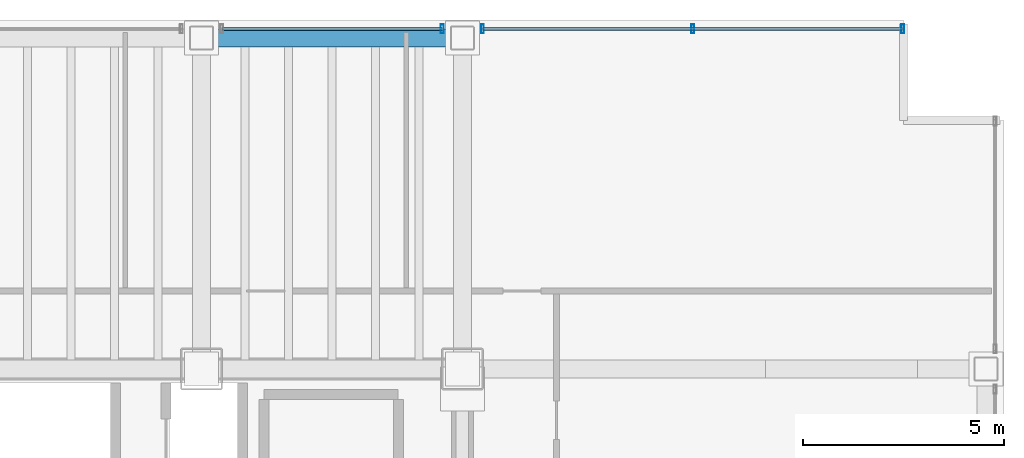
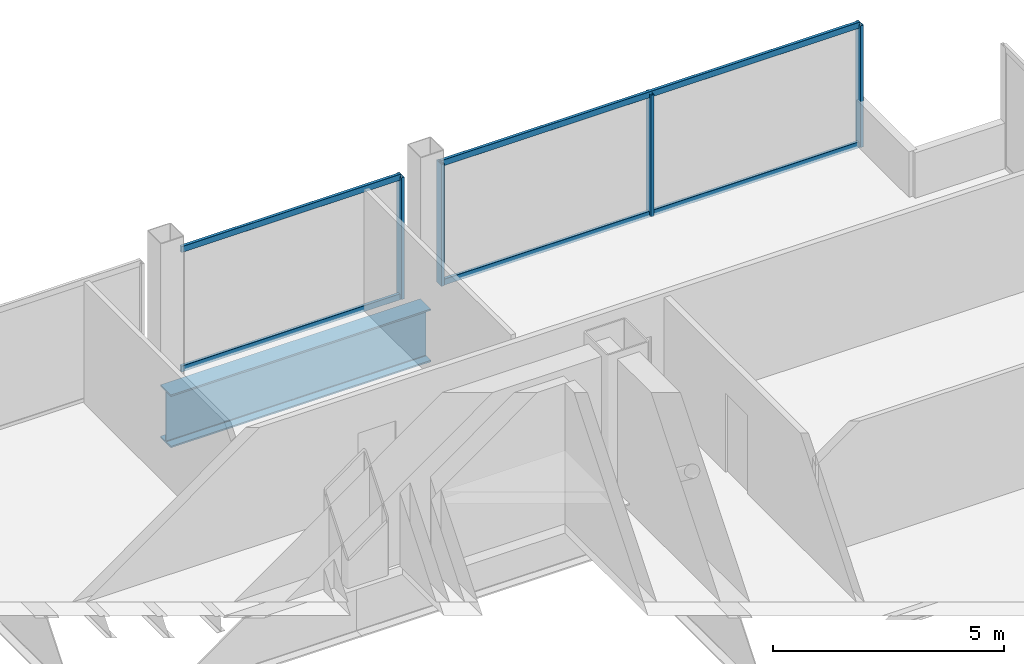
# One storey, part 18 of 23: 8 members, 1 beam, 2 elements without a shape of their own.
"""IFC4 building model written with IfcOpenShell, lengths in metres."""

from ifc_helpers import new_model, si_unit, direction, frame, origin, origin_2d, place, context, subcontext, project, spatial, hollow_rectangle, i_section, extrude, material, material_profile, profile_set, type_object, element, aggregate, save


model = new_model("IFC4")

# Units and contexts
model_context = context("Model", 3, precision=1e-05, world=origin(), true_north=direction((0.0, 1.0)))
body_context = subcontext(model_context, "Body", "Model", "MODEL_VIEW")
ifc_project = project(units=[si_unit("LENGTHUNIT", "METRE"), si_unit("AREAUNIT", "SQUARE_METRE"), si_unit("VOLUMEUNIT", "CUBIC_METRE"), si_unit("PLANEANGLEUNIT", "RADIAN"), si_unit("MASSUNIT", "GRAM", prefix="KILO")], contexts=[model_context])

# Site, building, storey
site_placement = place(None, origin())
site = spatial("IfcSite", under=ifc_project, at=site_placement, CompositionType="ELEMENT")
building_placement = place(site_placement, origin())
building = spatial("IfcBuilding", under=site, at=building_placement, Name="Noeulbin Bourse Tower", CompositionType="ELEMENT")
storey_placement = place(building_placement, frame((0.0, 0.0, 53.800048828125)))
storey = spatial("IfcBuildingStorey", under=building, at=storey_placement, Name="L13", CompositionType="ELEMENT", Elevation=53.800048828125)

# Beam
ifc_material_1 = material(Name="Steel S460", Category="steel")
ifc_material_profile_1 = material_profile(ifc_material_1, i_section(OverallWidth=0.449951171875, OverallDepth=1.39990234375, WebThickness=0.02392578125, FlangeThickness=0.0400390625, FilletRadius=0.02392578125, at=origin_2d()), Name="PG-1400x450x24x40", Category="LoadBearing")
ifc_profile_set_1 = profile_set([ifc_material_profile_1], Name="Steel S460")
beam_type = type_object("IfcBeamType", Name="BM-TRF-1400", PredefinedType="USERDEFINED", material=ifc_profile_set_1)
beam_placement = place(storey_placement, frame((37.5, 46.550048828125, -0.93994140625), z_axis=(1.0, 0.0, 0.0), x_axis=(0.0, 1.0, 0.0)))
element("IfcBeam", 1, at=beam_placement, inside=storey, type_object=beam_type, Name="North Spandrel L13-4", ObjectType="GIRDER", PredefinedType="USERDEFINED", context=body_context, shape_type="SweptSolid", body=[
    extrude(i_section(OverallWidth=0.449951171875, OverallDepth=1.39990234375, WebThickness=0.02392578125, FlangeThickness=0.0400390625, FilletRadius=0.02392578125, at=origin_2d()), origin(), (0.0, 0.0, 1.0), 6.5),
])

# Curtain wall, member
ifc_material_2 = material(Name="Dark Solar-Control Double Glazing", Category="glass")
curtain_wall_type = type_object("IfcCurtainWallType", Name="CW-SYS-2", PredefinedType="NOTDEFINED", material=ifc_material_2)
curtain_wall_1_placement = place(storey_placement, origin())
curtain_wall_1 = element("IfcCurtainWall", 2, at=curtain_wall_1_placement, inside=storey, type_object=curtain_wall_type, Name="Unitised Curtain Wall CW-L13-N-S5", PredefinedType="NOTDEFINED")
ifc_material_3 = material(Name="Anodised Aluminium 6063-T6", Category="aluminium")
ifc_material_profile_2 = material_profile(ifc_material_3, hollow_rectangle(XDim=0.074951171875, YDim=0.219970703125, WallThickness=0.0048828125, InnerFilletRadius=0.00244140625, OuterFilletRadius=0.0048828125, at=origin_2d()), Name="ALU-MULL-75x220x5", Category="LoadBearing")
ifc_profile_set_2 = profile_set([ifc_material_profile_2], Name="Anodised Aluminium 6063-T6")
member_type_1 = type_object("IfcMemberType", Name="CW-SYS-2-MUL", PredefinedType="MULLION", material=ifc_profile_set_2)
member_1_placement = place(storey_placement, frame((43.5, 46.780029296875, -0.02001953125), z_axis=(0.0, 0.0, 1.0), x_axis=(1.0, 0.0, 0.0)))
member_1 = element("IfcMember", 3, at=member_1_placement, type_object=member_type_1, Name="Curtain Wall Mullion CW-L13-N-S5-M01", PredefinedType="MULLION", context=body_context, shape_type="SweptSolid", body=[
    extrude(hollow_rectangle(XDim=0.074951171875, YDim=0.219970703125, WallThickness=0.0048828125, InnerFilletRadius=0.00244140625, OuterFilletRadius=0.0048828125, at=origin_2d()), origin(), (0.0, 0.0, 1.0), 3.219970703125),
])

# Curtain wall, members
curtain_wall_2_placement = place(storey_placement, origin())
curtain_wall_2 = element("IfcCurtainWall", 4, at=curtain_wall_2_placement, inside=storey, type_object=curtain_wall_type, Name="Unitised Curtain Wall CW-L13-N-S6", PredefinedType="NOTDEFINED")
member_2_placement = place(storey_placement, frame((44.5, 46.780029296875, -0.02001953125), z_axis=(0.0, 0.0, 1.0), x_axis=(1.0, 0.0, 0.0)))
member_2 = element("IfcMember", 5, at=member_2_placement, type_object=member_type_1, Name="Curtain Wall Mullion CW-L13-N-S6-M00", PredefinedType="MULLION", context=body_context, shape_type="SweptSolid", body=[
    extrude(hollow_rectangle(XDim=0.074951171875, YDim=0.219970703125, WallThickness=0.0048828125, InnerFilletRadius=0.00244140625, OuterFilletRadius=0.0048828125, at=origin_2d()), origin(), (0.0, 0.0, 1.0), 3.219970703125),
])
member_3_placement = place(storey_placement, frame((49.739990234375, 46.780029296875, -0.02001953125), z_axis=(0.0, 0.0, 1.0), x_axis=(1.0, 0.0, 0.0)))
member_3 = element("IfcMember", 6, at=member_3_placement, type_object=member_type_1, Name="Curtain Wall Mullion CW-L13-N-S6-M01", PredefinedType="MULLION", context=body_context, shape_type="SweptSolid", body=[
    extrude(hollow_rectangle(XDim=0.074951171875, YDim=0.219970703125, WallThickness=0.0048828125, InnerFilletRadius=0.00244140625, OuterFilletRadius=0.0048828125, at=origin_2d()), origin(), (0.0, 0.0, 1.0), 3.219970703125),
])
member_4_placement = place(storey_placement, frame((54.97998046875, 46.780029296875, -0.02001953125), z_axis=(0.0, 0.0, 1.0), x_axis=(1.0, 0.0, 0.0)))
member_4 = element("IfcMember", 7, at=member_4_placement, type_object=member_type_1, Name="Curtain Wall Mullion CW-L13-N-S6-M02", PredefinedType="MULLION", context=body_context, shape_type="SweptSolid", body=[
    extrude(hollow_rectangle(XDim=0.074951171875, YDim=0.219970703125, WallThickness=0.0048828125, InnerFilletRadius=0.00244140625, OuterFilletRadius=0.0048828125, at=origin_2d()), origin(), (0.0, 0.0, 1.0), 3.219970703125),
])

# Member
ifc_material_profile_3 = material_profile(ifc_material_3, hollow_rectangle(XDim=0.074951171875, YDim=0.159912109375, WallThickness=0.0048828125, InnerFilletRadius=0.00244140625, OuterFilletRadius=0.0048828125, at=origin_2d()), Name="ALU-TRAN-75x160x5", Category="LoadBearing")
ifc_profile_set_3 = profile_set([ifc_material_profile_3], Name="Anodised Aluminium 6063-T6")
member_type_2 = type_object("IfcMemberType", Name="CW-SYS-2-TRN", PredefinedType="USERDEFINED", material=ifc_profile_set_3)
member_5_placement = place(storey_placement, frame((38.010009765625, 46.780029296875, 0.010009765625), z_axis=(1.0, 0.0, 0.0), x_axis=(0.0, 1.0, 0.0)))
member_5 = element("IfcMember", 8, at=member_5_placement, type_object=member_type_2, Name="Curtain Wall Transom CW-L13-N-S5-T00", ObjectType="TRANSOM", PredefinedType="USERDEFINED", context=body_context, shape_type="SweptSolid", body=[
    extrude(hollow_rectangle(XDim=0.074951171875, YDim=0.159912109375, WallThickness=0.0048828125, InnerFilletRadius=0.00244140625, OuterFilletRadius=0.0048828125, at=origin_2d()), origin(), (0.0, 0.0, 1.0), 5.47998046875),
])

member_6_placement = place(storey_placement, frame((38.010009765625, 46.780029296875, 3.169921875), z_axis=(1.0, 0.0, 0.0), x_axis=(0.0, 1.0, 0.0)))
member_6 = element("IfcMember", 9, at=member_6_placement, type_object=member_type_2, Name="Curtain Wall Transom CW-L13-N-S5-T01", ObjectType="TRANSOM", PredefinedType="USERDEFINED", context=body_context, shape_type="SweptSolid", body=[
    extrude(hollow_rectangle(XDim=0.074951171875, YDim=0.159912109375, WallThickness=0.0048828125, InnerFilletRadius=0.00244140625, OuterFilletRadius=0.0048828125, at=origin_2d()), origin(), (0.0, 0.0, 1.0), 5.47998046875),
])

aggregate(curtain_wall_1, [member_1, member_5, member_6])

member_7_placement = place(storey_placement, frame((44.510009765625, 46.780029296875, 0.010009765625), z_axis=(1.0, 0.0, 0.0), x_axis=(0.0, 1.0, 0.0)))
member_7 = element("IfcMember", 10, at=member_7_placement, type_object=member_type_2, Name="Curtain Wall Transom CW-L13-N-S6-T00", ObjectType="TRANSOM", PredefinedType="USERDEFINED", context=body_context, shape_type="SweptSolid", body=[
    extrude(hollow_rectangle(XDim=0.074951171875, YDim=0.159912109375, WallThickness=0.0048828125, InnerFilletRadius=0.00244140625, OuterFilletRadius=0.0048828125, at=origin_2d()), origin(), (0.0, 0.0, 1.0), 10.4599609375),
])

member_8_placement = place(storey_placement, frame((44.510009765625, 46.780029296875, 3.169921875), z_axis=(1.0, 0.0, 0.0), x_axis=(0.0, 1.0, 0.0)))
member_8 = element("IfcMember", 11, at=member_8_placement, type_object=member_type_2, Name="Curtain Wall Transom CW-L13-N-S6-T01", ObjectType="TRANSOM", PredefinedType="USERDEFINED", context=body_context, shape_type="SweptSolid", body=[
    extrude(hollow_rectangle(XDim=0.074951171875, YDim=0.159912109375, WallThickness=0.0048828125, InnerFilletRadius=0.00244140625, OuterFilletRadius=0.0048828125, at=origin_2d()), origin(), (0.0, 0.0, 1.0), 10.4599609375),
])

aggregate(curtain_wall_2, [member_2, member_3, member_4, member_7, member_8])

save(model, "model.ifc")
